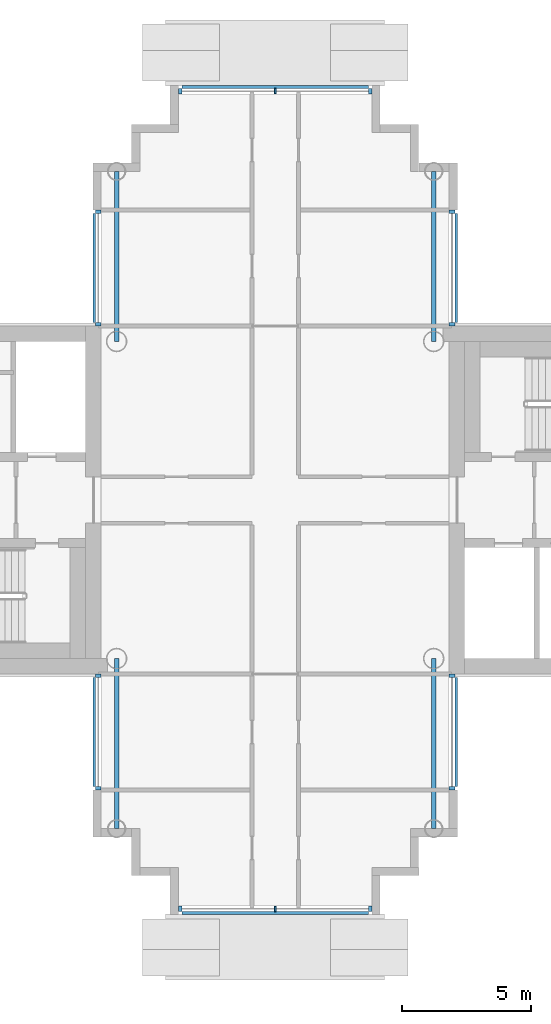
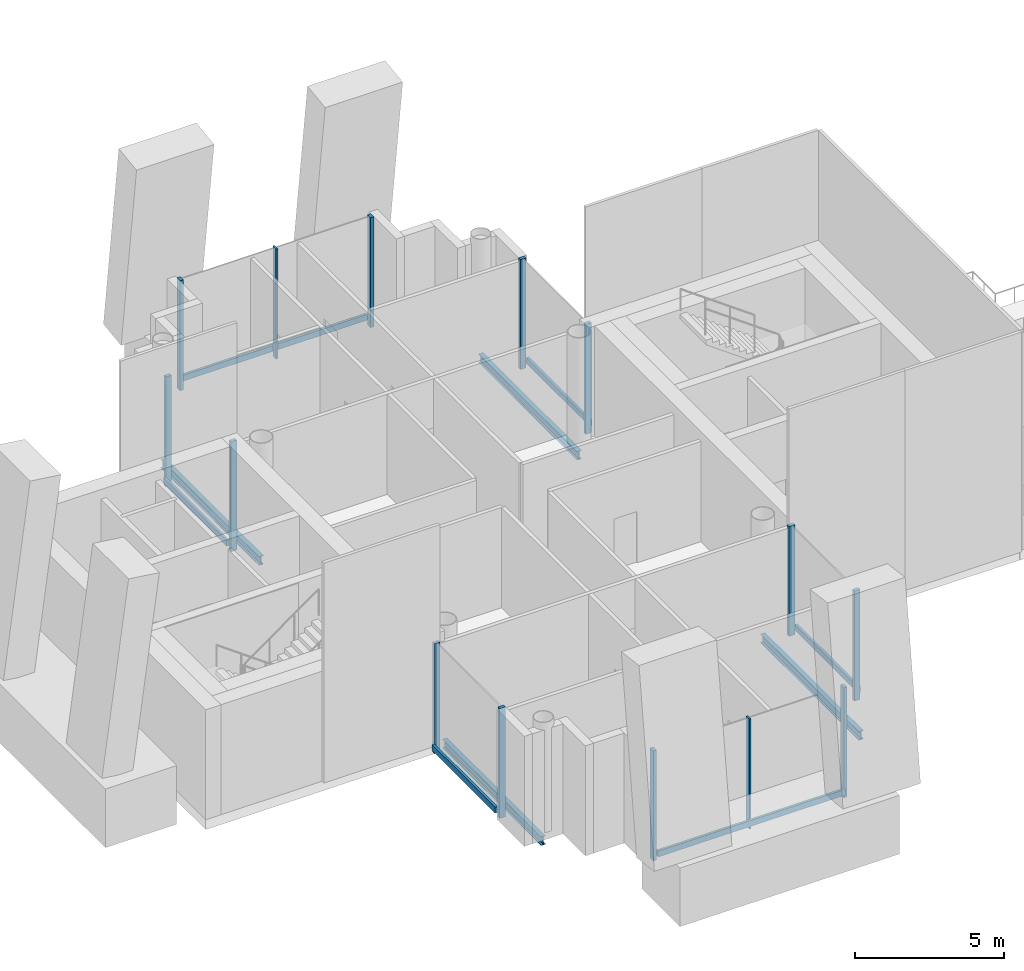
# One storey, part 3 of 16: 20 members, 4 beams, 6 elements without a shape of their own.
"""IFC4 building model written with IfcOpenShell, lengths in metres."""

from ifc_helpers import new_model, si_unit, direction, frame, origin, origin_2d, place, context, subcontext, project, spatial, rectangle, i_section, extrude, material, layer, layer_set, material_profile, profile_set, type_object, element, aggregate, save


model = new_model("IFC4")

# Units and contexts
model_context = context("Model", 3, precision=1e-05, world=origin(), true_north=direction((0.0, 1.0)))
body_context = subcontext(model_context, "Body", "Model", "MODEL_VIEW")
ifc_project = project(units=[si_unit("LENGTHUNIT", "METRE"), si_unit("AREAUNIT", "SQUARE_METRE"), si_unit("VOLUMEUNIT", "CUBIC_METRE"), si_unit("PLANEANGLEUNIT", "RADIAN"), si_unit("MASSUNIT", "GRAM", prefix="KILO")], contexts=[model_context])

# Site, building, storey
site_placement = place(None, origin())
site = spatial("IfcSite", under=ifc_project, at=site_placement, CompositionType="ELEMENT")
building_placement = place(site_placement, origin())
building = spatial("IfcBuilding", under=site, at=building_placement, Name="Ipe Terrace Towers", CompositionType="ELEMENT")
storey_placement = place(building_placement, frame((0.0, 0.0, 233.39990234375)))
storey = spatial("IfcBuildingStorey", under=building, at=storey_placement, Name="L65", CompositionType="ELEMENT", Elevation=233.39990234375)

# Beams
ifc_material_1 = material(Name="Steel S355", Category="steel")
ifc_material_profile_1 = material_profile(ifc_material_1, i_section(OverallWidth=0.175048828125, OverallDepth=0.35009765625, WebThickness=0.007080078125, FlangeThickness=0.010986328125, at=origin_2d()), Name="H-350x175x7x11")
ifc_profile_set_1 = profile_set([ifc_material_profile_1], Name="Steel S355")
beam_type = type_object("IfcBeamType", Name="H04 EDGE BEAM H-350x175x7x11", PredefinedType="BEAM", material=ifc_profile_set_1)
for number, where, z_axis, x_axis, name in (
    (1, (-29.85009765625, 12.75, -0.574951171875), (0.0, -1.0, 0.0), (1.0, 0.0, 0.0), "Edge beam T1-EB-B01-E03"),
    (2, (-42.14990234375, 12.75, -0.574951171875), (0.0, -1.0, 0.0), (1.0, 0.0, 0.0), "Edge beam T1-EB-B02-E04"),
    (3, (-42.14990234375, -12.75, -0.574951171875), (0.0, 1.0, 0.0), (-1.0, 0.0, 0.0), "Edge beam T1-EB-D01-E01"),
    (4, (-29.85009765625, -12.75, -0.574951171875), (0.0, 1.0, 0.0), (-1.0, 0.0, 0.0), "Edge beam T1-EB-D02-E02"),
):
    element("IfcBeam", number, at=place(storey_placement, frame(where, z_axis=z_axis, x_axis=x_axis)), inside=storey, type_object=beam_type, Name=name, PredefinedType="BEAM", context=body_context, shape_type="SweptSolid", body=[
        extrude(i_section(OverallWidth=0.175048828125, OverallDepth=0.35009765625, WebThickness=0.007080078125, FlangeThickness=0.010986328125, at=origin_2d()), origin(), (0.0, 0.0, 1.0), 6.60009765625),
    ])

# Curtain wall, members
ifc_material_2 = material(Name="Aluminium alloy 6063-T6", Category="aluminium")
ifc_layer = layer(ifc_material_2, 0.320068359375)
ifc_layer_set = layer_set([ifc_layer], Name="PLANT LOUVRE CURTAIN WALL")
curtain_wall_type = type_object("IfcCurtainWallType", Name="PLANT LOUVRE CURTAIN WALL", PredefinedType="NOTDEFINED", material=ifc_layer_set)
curtain_wall_1_placement = place(storey_placement, origin())
curtain_wall_1 = element("IfcCurtainWall", 5, at=curtain_wall_1_placement, inside=storey, type_object=curtain_wall_type, Name="T1-CW-L65-02a curtain wall", PredefinedType="NOTDEFINED")
ifc_material_3 = material(Name="Aluminium alloy 6063-T6", Category="aluminium")
ifc_material_profile_2 = material_profile(ifc_material_3, rectangle(XDim=0.219970703125, YDim=0.1298828125, at=origin_2d()), Name="PLANT LOUVRE CORNER MULLION 220 x 130")
ifc_profile_set_2 = profile_set([ifc_material_profile_2], Name="Aluminium alloy 6063-T6")
member_type_1 = type_object("IfcMemberType", Name="PLANT LOUVRE CORNER MULLION 220 x 130", PredefinedType="MULLION", material=ifc_profile_set_2)
member_1_placement = place(storey_placement, frame((-42.860107421875, -6.81494140625, -0.2998046875), z_axis=(0.0, 0.0, 1.0), x_axis=(-1.0, 0.0, 0.0)))
member_1 = element("IfcMember", 6, at=member_1_placement, type_object=member_type_1, Name="T1-CW-L65-02a mullion 1", PredefinedType="MULLION", context=body_context, shape_type="SweptSolid", body=[
    extrude(rectangle(XDim=0.219970703125, YDim=0.1298828125, at=origin_2d()), origin(), (0.0, 0.0, 1.0), 4.5),
])
member_2_placement = place(storey_placement, frame((-42.860107421875, -11.18505859375, -0.2998046875), z_axis=(0.0, 0.0, 1.0), x_axis=(-1.0, 0.0, 0.0)))
member_2 = element("IfcMember", 7, at=member_2_placement, type_object=member_type_1, Name="T1-CW-L65-02a mullion 2", PredefinedType="MULLION", context=body_context, shape_type="SweptSolid", body=[
    extrude(rectangle(XDim=0.219970703125, YDim=0.1298828125, at=origin_2d()), origin(), (0.0, 0.0, 1.0), 4.5),
])

curtain_wall_2_placement = place(storey_placement, origin())
curtain_wall_2 = element("IfcCurtainWall", 8, at=curtain_wall_2_placement, inside=storey, type_object=curtain_wall_type, Name="T1-CW-L65-08a curtain wall", PredefinedType="NOTDEFINED")
member_3_placement = place(storey_placement, frame((-39.68505859375, -15.860107421875, -0.2998046875), z_axis=(0.0, 0.0, 1.0), x_axis=(0.0, -1.0, 0.0)))
member_3 = element("IfcMember", 9, at=member_3_placement, type_object=member_type_1, Name="T1-CW-L65-08a mullion 1", PredefinedType="MULLION", context=body_context, shape_type="SweptSolid", body=[
    extrude(rectangle(XDim=0.219970703125, YDim=0.1298828125, at=origin_2d()), origin(), (0.0, 0.0, 1.0), 4.5),
])
member_4_placement = place(storey_placement, frame((-32.31494140625, -15.860107421875, -0.2998046875), z_axis=(0.0, 0.0, 1.0), x_axis=(0.0, -1.0, 0.0)))
member_4 = element("IfcMember", 10, at=member_4_placement, type_object=member_type_1, Name="T1-CW-L65-08a mullion 3", PredefinedType="MULLION", context=body_context, shape_type="SweptSolid", body=[
    extrude(rectangle(XDim=0.219970703125, YDim=0.1298828125, at=origin_2d()), origin(), (0.0, 0.0, 1.0), 4.5),
])

curtain_wall_3_placement = place(storey_placement, origin())
curtain_wall_3 = element("IfcCurtainWall", 11, at=curtain_wall_3_placement, inside=storey, type_object=curtain_wall_type, Name="T1-CW-L65-14a curtain wall", PredefinedType="NOTDEFINED")
member_5_placement = place(storey_placement, frame((-29.139892578125, -11.18505859375, -0.2998046875), z_axis=(0.0, 0.0, 1.0), x_axis=(1.0, 0.0, 0.0)))
member_5 = element("IfcMember", 12, at=member_5_placement, type_object=member_type_1, Name="T1-CW-L65-14a mullion 1", PredefinedType="MULLION", context=body_context, shape_type="SweptSolid", body=[
    extrude(rectangle(XDim=0.219970703125, YDim=0.1298828125, at=origin_2d()), origin(), (0.0, 0.0, 1.0), 4.5),
])
member_6_placement = place(storey_placement, frame((-29.139892578125, -6.81494140625, -0.2998046875), z_axis=(0.0, 0.0, 1.0), x_axis=(1.0, 0.0, 0.0)))
member_6 = element("IfcMember", 13, at=member_6_placement, type_object=member_type_1, Name="T1-CW-L65-14a mullion 2", PredefinedType="MULLION", context=body_context, shape_type="SweptSolid", body=[
    extrude(rectangle(XDim=0.219970703125, YDim=0.1298828125, at=origin_2d()), origin(), (0.0, 0.0, 1.0), 4.5),
])

curtain_wall_4_placement = place(storey_placement, origin())
curtain_wall_4 = element("IfcCurtainWall", 14, at=curtain_wall_4_placement, inside=storey, type_object=curtain_wall_type, Name="T1-CW-L65-20a curtain wall", PredefinedType="NOTDEFINED")
member_7_placement = place(storey_placement, frame((-29.139892578125, 6.81494140625, -0.2998046875), z_axis=(0.0, 0.0, 1.0), x_axis=(1.0, 0.0, 0.0)))
member_7 = element("IfcMember", 15, at=member_7_placement, type_object=member_type_1, Name="T1-CW-L65-20a mullion 1", PredefinedType="MULLION", context=body_context, shape_type="SweptSolid", body=[
    extrude(rectangle(XDim=0.219970703125, YDim=0.1298828125, at=origin_2d()), origin(), (0.0, 0.0, 1.0), 4.5),
])
member_8_placement = place(storey_placement, frame((-29.139892578125, 11.18505859375, -0.2998046875), z_axis=(0.0, 0.0, 1.0), x_axis=(1.0, 0.0, 0.0)))
member_8 = element("IfcMember", 16, at=member_8_placement, type_object=member_type_1, Name="T1-CW-L65-20a mullion 2", PredefinedType="MULLION", context=body_context, shape_type="SweptSolid", body=[
    extrude(rectangle(XDim=0.219970703125, YDim=0.1298828125, at=origin_2d()), origin(), (0.0, 0.0, 1.0), 4.5),
])

curtain_wall_5_placement = place(storey_placement, origin())
curtain_wall_5 = element("IfcCurtainWall", 17, at=curtain_wall_5_placement, inside=storey, type_object=curtain_wall_type, Name="T1-CW-L65-26a curtain wall", PredefinedType="NOTDEFINED")
member_9_placement = place(storey_placement, frame((-32.31494140625, 15.860107421875, -0.2998046875), z_axis=(0.0, 0.0, 1.0), x_axis=(0.0, 1.0, 0.0)))
member_9 = element("IfcMember", 18, at=member_9_placement, type_object=member_type_1, Name="T1-CW-L65-26a mullion 1", PredefinedType="MULLION", context=body_context, shape_type="SweptSolid", body=[
    extrude(rectangle(XDim=0.219970703125, YDim=0.1298828125, at=origin_2d()), origin(), (0.0, 0.0, 1.0), 4.5),
])
member_10_placement = place(storey_placement, frame((-39.68505859375, 15.860107421875, -0.2998046875), z_axis=(0.0, 0.0, 1.0), x_axis=(0.0, 1.0, 0.0)))
member_10 = element("IfcMember", 19, at=member_10_placement, type_object=member_type_1, Name="T1-CW-L65-26a mullion 3", PredefinedType="MULLION", context=body_context, shape_type="SweptSolid", body=[
    extrude(rectangle(XDim=0.219970703125, YDim=0.1298828125, at=origin_2d()), origin(), (0.0, 0.0, 1.0), 4.5),
])

curtain_wall_6_placement = place(storey_placement, origin())
curtain_wall_6 = element("IfcCurtainWall", 20, at=curtain_wall_6_placement, inside=storey, type_object=curtain_wall_type, Name="T1-CW-L65-32a curtain wall", PredefinedType="NOTDEFINED")
member_11_placement = place(storey_placement, frame((-42.860107421875, 11.18505859375, -0.2998046875), z_axis=(0.0, 0.0, 1.0), x_axis=(-1.0, 0.0, 0.0)))
member_11 = element("IfcMember", 21, at=member_11_placement, type_object=member_type_1, Name="T1-CW-L65-32a mullion 1", PredefinedType="MULLION", context=body_context, shape_type="SweptSolid", body=[
    extrude(rectangle(XDim=0.219970703125, YDim=0.1298828125, at=origin_2d()), origin(), (0.0, 0.0, 1.0), 4.5),
])
member_12_placement = place(storey_placement, frame((-42.860107421875, 6.81494140625, -0.2998046875), z_axis=(0.0, 0.0, 1.0), x_axis=(-1.0, 0.0, 0.0)))
member_12 = element("IfcMember", 22, at=member_12_placement, type_object=member_type_1, Name="T1-CW-L65-32a mullion 2", PredefinedType="MULLION", context=body_context, shape_type="SweptSolid", body=[
    extrude(rectangle(XDim=0.219970703125, YDim=0.1298828125, at=origin_2d()), origin(), (0.0, 0.0, 1.0), 4.5),
])

# Member
ifc_material_4 = material(Name="Aluminium alloy 6063-T6", Category="aluminium")
ifc_material_profile_3 = material_profile(ifc_material_4, rectangle(XDim=0.219970703125, YDim=0.070068359375, at=origin_2d()), Name="PLANT LOUVRE MULLION 220 x 70")
ifc_profile_set_3 = profile_set([ifc_material_profile_3], Name="Aluminium alloy 6063-T6")
member_type_2 = type_object("IfcMemberType", Name="PLANT LOUVRE MULLION 220 x 70", PredefinedType="MULLION", material=ifc_profile_set_3)
member_13_placement = place(storey_placement, frame((-36.0, -15.860107421875, -0.2998046875), z_axis=(0.0, 0.0, 1.0), x_axis=(0.0, -1.0, 0.0)))
member_13 = element("IfcMember", 23, at=member_13_placement, type_object=member_type_2, Name="T1-CW-L65-08a mullion 2", PredefinedType="MULLION", context=body_context, shape_type="SweptSolid", body=[
    extrude(rectangle(XDim=0.219970703125, YDim=0.070068359375, at=origin_2d()), origin(), (0.0, 0.0, 1.0), 4.5),
])

member_14_placement = place(storey_placement, frame((-36.0, 15.860107421875, -0.2998046875), z_axis=(0.0, 0.0, 1.0), x_axis=(0.0, 1.0, 0.0)))
member_14 = element("IfcMember", 24, at=member_14_placement, type_object=member_type_2, Name="T1-CW-L65-26a mullion 2", PredefinedType="MULLION", context=body_context, shape_type="SweptSolid", body=[
    extrude(rectangle(XDim=0.219970703125, YDim=0.070068359375, at=origin_2d()), origin(), (0.0, 0.0, 1.0), 4.5),
])

ifc_material_5 = material(Name="Aluminium alloy 6063-T6", Category="aluminium")
ifc_material_profile_4 = material_profile(ifc_material_5, rectangle(XDim=0.10009765625, YDim=0.239990234375, at=origin_2d()), Name="PLANT LOUVRE TRANSOM 100 x 240")
ifc_profile_set_4 = profile_set([ifc_material_profile_4], Name="Aluminium alloy 6063-T6")
member_type_3 = type_object("IfcMemberType", Name="PLANT LOUVRE TRANSOM 100 x 240", PredefinedType="USERDEFINED", material=ifc_profile_set_4)
member_15_placement = place(storey_placement, frame((-43.02001953125, -6.8798828125, 0.0), z_axis=(0.0, -1.0, 0.0), x_axis=(-1.0, 0.0, 0.0)))
member_15 = element("IfcMember", 25, at=member_15_placement, type_object=member_type_3, Name="T1-CW-L65-02a transom", ObjectType="TRANSOM", PredefinedType="USERDEFINED", context=body_context, shape_type="SweptSolid", body=[
    extrude(rectangle(XDim=0.10009765625, YDim=0.239990234375, at=origin_2d()), origin(), (0.0, 0.0, 1.0), 4.240234375),
])

aggregate(curtain_wall_1, [member_1, member_2, member_15])

member_16_placement = place(storey_placement, frame((-39.6201171875, -16.02001953125, 0.0), z_axis=(1.0, 0.0, 0.0), x_axis=(0.0, -1.0, 0.0)))
member_16 = element("IfcMember", 26, at=member_16_placement, type_object=member_type_3, Name="T1-CW-L65-08a transom", ObjectType="TRANSOM", PredefinedType="USERDEFINED", context=body_context, shape_type="SweptSolid", body=[
    extrude(rectangle(XDim=0.10009765625, YDim=0.239990234375, at=origin_2d()), origin(), (0.0, 0.0, 1.0), 7.240234375),
])

aggregate(curtain_wall_2, [member_3, member_13, member_4, member_16])

member_17_placement = place(storey_placement, frame((-28.97998046875, -11.1201171875, 0.0), z_axis=(0.0, 1.0, 0.0), x_axis=(1.0, 0.0, 0.0)))
member_17 = element("IfcMember", 27, at=member_17_placement, type_object=member_type_3, Name="T1-CW-L65-14a transom", ObjectType="TRANSOM", PredefinedType="USERDEFINED", context=body_context, shape_type="SweptSolid", body=[
    extrude(rectangle(XDim=0.10009765625, YDim=0.239990234375, at=origin_2d()), origin(), (0.0, 0.0, 1.0), 4.240234375),
])

aggregate(curtain_wall_3, [member_5, member_6, member_17])

member_18_placement = place(storey_placement, frame((-28.97998046875, 6.8798828125, 0.0), z_axis=(0.0, 1.0, 0.0), x_axis=(1.0, 0.0, 0.0)))
member_18 = element("IfcMember", 28, at=member_18_placement, type_object=member_type_3, Name="T1-CW-L65-20a transom", ObjectType="TRANSOM", PredefinedType="USERDEFINED", context=body_context, shape_type="SweptSolid", body=[
    extrude(rectangle(XDim=0.10009765625, YDim=0.239990234375, at=origin_2d()), origin(), (0.0, 0.0, 1.0), 4.240234375),
])

aggregate(curtain_wall_4, [member_7, member_8, member_18])

member_19_placement = place(storey_placement, frame((-32.3798828125, 16.02001953125, 0.0), z_axis=(-1.0, 0.0, 0.0), x_axis=(0.0, 1.0, 0.0)))
member_19 = element("IfcMember", 29, at=member_19_placement, type_object=member_type_3, Name="T1-CW-L65-26a transom", ObjectType="TRANSOM", PredefinedType="USERDEFINED", context=body_context, shape_type="SweptSolid", body=[
    extrude(rectangle(XDim=0.10009765625, YDim=0.239990234375, at=origin_2d()), origin(), (0.0, 0.0, 1.0), 7.240234375),
])

aggregate(curtain_wall_5, [member_9, member_14, member_10, member_19])

member_20_placement = place(storey_placement, frame((-43.02001953125, 11.1201171875, 0.0), z_axis=(0.0, -1.0, 0.0), x_axis=(-1.0, 0.0, 0.0)))
member_20 = element("IfcMember", 30, at=member_20_placement, type_object=member_type_3, Name="T1-CW-L65-32a transom", ObjectType="TRANSOM", PredefinedType="USERDEFINED", context=body_context, shape_type="SweptSolid", body=[
    extrude(rectangle(XDim=0.10009765625, YDim=0.239990234375, at=origin_2d()), origin(), (0.0, 0.0, 1.0), 4.240234375),
])

aggregate(curtain_wall_6, [member_11, member_12, member_20])

save(model, "model.ifc")
